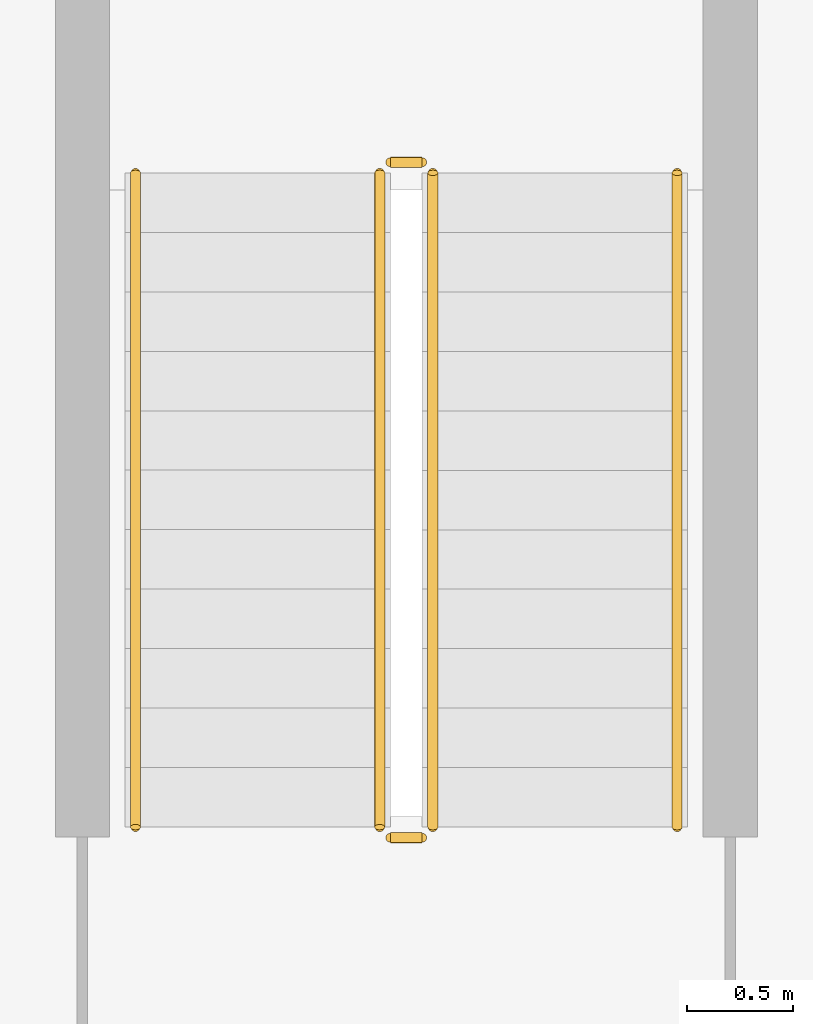
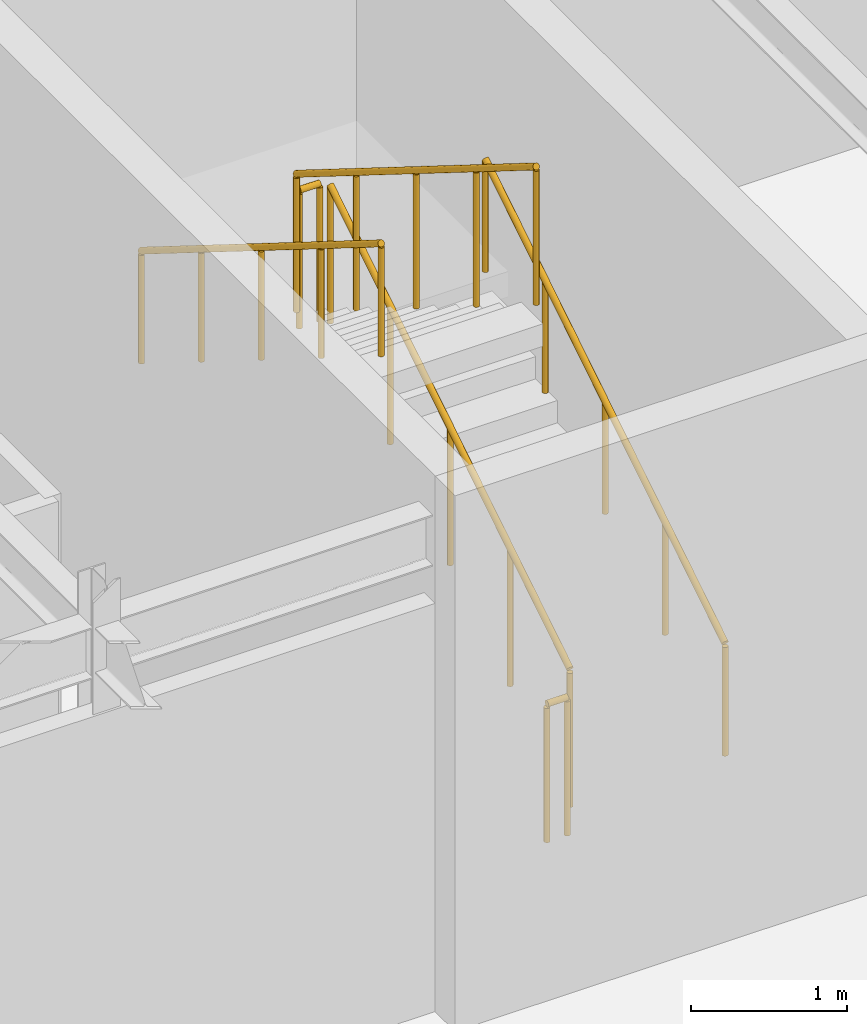
# One storey, part 72 of 85: 6 railings.
"""IFC4 building model written with IfcOpenShell, lengths in metres."""

from ifc_helpers import new_model, si_unit, direction, frame, origin, origin_2d, place, context, subcontext, project, spatial, circle, extrude, material, type_object, element, save


model = new_model("IFC4")

# Units and contexts
model_context = context("Model", 3, precision=1e-05, world=origin(), true_north=direction((0.0, 1.0)))
body_context = subcontext(model_context, "Body", "Model", "MODEL_VIEW")
ifc_project = project(units=[si_unit("LENGTHUNIT", "METRE"), si_unit("AREAUNIT", "SQUARE_METRE"), si_unit("VOLUMEUNIT", "CUBIC_METRE"), si_unit("PLANEANGLEUNIT", "RADIAN"), si_unit("MASSUNIT", "GRAM", prefix="KILO")], contexts=[model_context])

# Site, building, storey
site_placement = place(None, origin())
site = spatial("IfcSite", under=ifc_project, at=site_placement, CompositionType="ELEMENT")
building_placement = place(site_placement, origin())
building = spatial("IfcBuilding", under=site, at=building_placement, Name="Ochrevale Crest", CompositionType="ELEMENT")
storey_placement = place(building_placement, frame((0.0, 0.0, 4.5)))
storey = spatial("IfcBuildingStorey", under=building, at=storey_placement, Name="L01", CompositionType="ELEMENT", Elevation=4.5)

# Railings
ifc_material_1 = material(Name="Galvanised steel", Category="steel")
railing_type_1 = type_object("IfcRailingType", Name="RL-ST-GUARD", PredefinedType="BALUSTRADE", material=ifc_material_1)
railing_1_placement = place(storey_placement, frame((76.199951171875, 22.824951171875, 0.175048828125)))
element("IfcRailing", 1, at=railing_1_placement, inside=storey, type_object=railing_type_1, Name="L01 ST-R1 stair guard 1", PredefinedType="BALUSTRADE", context=body_context, shape_type="SweptSolid", body=[
    extrude(circle(Radius=0.02392578125, at=origin_2d()), frame((0.0, 0.0, 1.076171875), z_axis=(0.0, 0.847998304005, 0.529998940003), x_axis=(-1.0, 0.0, 0.0)), (0.0, 0.0, 1.0), 3.632080078125),
    extrude(circle(Radius=0.02099609375, at=origin_2d()), origin(), (0.0, 0.0, 1.0), 1.052001953125),
    extrude(circle(Radius=0.02099609375, at=origin_2d()), frame((0.0, 0.77001953125, 0.481201171875)), (0.0, 0.0, 1.0), 1.052001953125),
    extrude(circle(Radius=0.02099609375, at=origin_2d()), frame((0.0, 1.5400390625, 0.96240234375)), (0.0, 0.0, 1.0), 1.052001953125),
    extrude(circle(Radius=0.02099609375, at=origin_2d()), frame((0.0, 2.31005859375, 1.44384765625)), (0.0, 0.0, 1.0), 1.052001953125),
    extrude(circle(Radius=0.02099609375, at=origin_2d()), frame((0.0, 3.080078125, 1.925048828125)), (0.0, 0.0, 1.0), 1.052001953125),
])
railing_2_placement = place(storey_placement, frame((76.14990234375, 25.955078125, 2.10009765625)))
element("IfcRailing", 2, at=railing_2_placement, inside=storey, type_object=railing_type_1, Name="L01 ST-R1 stair guard 2", PredefinedType="BALUSTRADE", context=body_context, shape_type="SweptSolid", body=[
    extrude(circle(Radius=0.02392578125, at=origin_2d()), frame((0.0, 0.0, 1.076171875), z_axis=(-1.0, 0.0, 0.0), x_axis=(0.0, -1.0, 0.0)), (0.0, 0.0, 1.0), 0.14990234375),
    extrude(circle(Radius=0.02099609375, at=origin_2d()), origin(), (0.0, 0.0, 1.0), 1.052001953125),
    extrude(circle(Radius=0.02099609375, at=origin_2d()), frame((-0.14990234375, 0.0, 0.0)), (0.0, 0.0, 1.0), 1.052001953125),
])
railing_3_placement = place(storey_placement, frame((75.949951171875, 25.905029296875, 2.27490234375)))
element("IfcRailing", 3, at=railing_3_placement, inside=storey, type_object=railing_type_1, Name="L01 ST-R1 stair guard 3", PredefinedType="BALUSTRADE", context=body_context, shape_type="SweptSolid", body=[
    extrude(circle(Radius=0.02392578125, at=origin_2d()), frame((0.0, 0.0, 1.076171875), z_axis=(0.0, -0.847998304005, 0.529998940003), x_axis=(1.0, 0.0, 0.0)), (0.0, 0.0, 1.0), 3.632080078125),
    extrude(circle(Radius=0.02099609375, at=origin_2d()), origin(), (0.0, 0.0, 1.0), 1.052001953125),
    extrude(circle(Radius=0.02099609375, at=origin_2d()), frame((0.0, -0.77001953125, 0.481201171875)), (0.0, 0.0, 1.0), 1.052001953125),
    extrude(circle(Radius=0.02099609375, at=origin_2d()), frame((0.0, -1.5400390625, 0.96240234375)), (0.0, 0.0, 1.0), 1.052001953125),
    extrude(circle(Radius=0.02099609375, at=origin_2d()), frame((0.0, -2.31005859375, 1.44384765625)), (0.0, 0.0, 1.0), 1.052001953125),
    extrude(circle(Radius=0.02099609375, at=origin_2d()), frame((0.0, -3.080078125, 1.925048828125)), (0.0, 0.0, 1.0), 1.052001953125),
])
railing_4_placement = place(storey_placement, frame((76.14990234375, 22.77490234375, 0.0)))
element("IfcRailing", 4, at=railing_4_placement, inside=storey, type_object=railing_type_1, Name="L01 ST-R1 stair guard 4", PredefinedType="BALUSTRADE", context=body_context, shape_type="SweptSolid", body=[
    extrude(circle(Radius=0.02392578125, at=origin_2d()), frame((0.0, 0.0, 1.076171875), z_axis=(-1.0, 0.0, 0.0), x_axis=(0.0, -1.0, 0.0)), (0.0, 0.0, 1.0), 0.14990234375),
    extrude(circle(Radius=0.02099609375, at=origin_2d()), origin(), (0.0, 0.0, 1.0), 1.052001953125),
    extrude(circle(Radius=0.02099609375, at=origin_2d()), frame((-0.14990234375, 0.0, 0.0)), (0.0, 0.0, 1.0), 1.052001953125),
])
ifc_material_2 = material(Name="Stainless steel", Category="steel")
railing_type_2 = type_object("IfcRailingType", Name="RL-ST-HRAIL", PredefinedType="HANDRAIL", material=ifc_material_2)
railing_5_placement = place(storey_placement, frame((77.35009765625, 22.824951171875, 0.175048828125)))
element("IfcRailing", 5, at=railing_5_placement, inside=storey, type_object=railing_type_2, Name="L01 ST-R1 stair handrail 1", PredefinedType="HANDRAIL", context=body_context, shape_type="SweptSolid", body=[
    extrude(circle(Radius=0.02392578125, at=origin_2d()), frame((0.0, 0.0, 0.8759765625), z_axis=(0.0, 0.847998304005, 0.529998940003), x_axis=(-1.0, 0.0, 0.0)), (0.0, 0.0, 1.0), 3.632080078125),
    extrude(circle(Radius=0.02099609375, at=origin_2d()), origin(), (0.0, 0.0, 1.0), 0.851806640625),
    extrude(circle(Radius=0.02099609375, at=origin_2d()), frame((0.0, 0.77001953125, 0.481201171875)), (0.0, 0.0, 1.0), 0.851806640625),
    extrude(circle(Radius=0.02099609375, at=origin_2d()), frame((0.0, 1.5400390625, 0.96240234375)), (0.0, 0.0, 1.0), 0.851806640625),
    extrude(circle(Radius=0.02099609375, at=origin_2d()), frame((0.0, 2.31005859375, 1.44384765625)), (0.0, 0.0, 1.0), 0.851806640625),
    extrude(circle(Radius=0.02099609375, at=origin_2d()), frame((0.0, 3.080078125, 1.925048828125)), (0.0, 0.0, 1.0), 0.851806640625),
])
railing_6_placement = place(storey_placement, frame((74.800048828125, 25.905029296875, 2.27490234375)))
element("IfcRailing", 6, at=railing_6_placement, inside=storey, type_object=railing_type_2, Name="L01 ST-R1 stair handrail 2", PredefinedType="HANDRAIL", context=body_context, shape_type="SweptSolid", body=[
    extrude(circle(Radius=0.02392578125, at=origin_2d()), frame((0.0, 0.0, 0.8759765625), z_axis=(0.0, -0.847998304005, 0.529998940003), x_axis=(1.0, 0.0, 0.0)), (0.0, 0.0, 1.0), 3.632080078125),
    extrude(circle(Radius=0.02099609375, at=origin_2d()), origin(), (0.0, 0.0, 1.0), 0.851806640625),
    extrude(circle(Radius=0.02099609375, at=origin_2d()), frame((0.0, -0.77001953125, 0.481201171875)), (0.0, 0.0, 1.0), 0.851806640625),
    extrude(circle(Radius=0.02099609375, at=origin_2d()), frame((0.0, -1.5400390625, 0.96240234375)), (0.0, 0.0, 1.0), 0.851806640625),
    extrude(circle(Radius=0.02099609375, at=origin_2d()), frame((0.0, -2.31005859375, 1.44384765625)), (0.0, 0.0, 1.0), 0.851806640625),
    extrude(circle(Radius=0.02099609375, at=origin_2d()), frame((0.0, -3.080078125, 1.925048828125)), (0.0, 0.0, 1.0), 0.851806640625),
])

save(model, "model.ifc")
